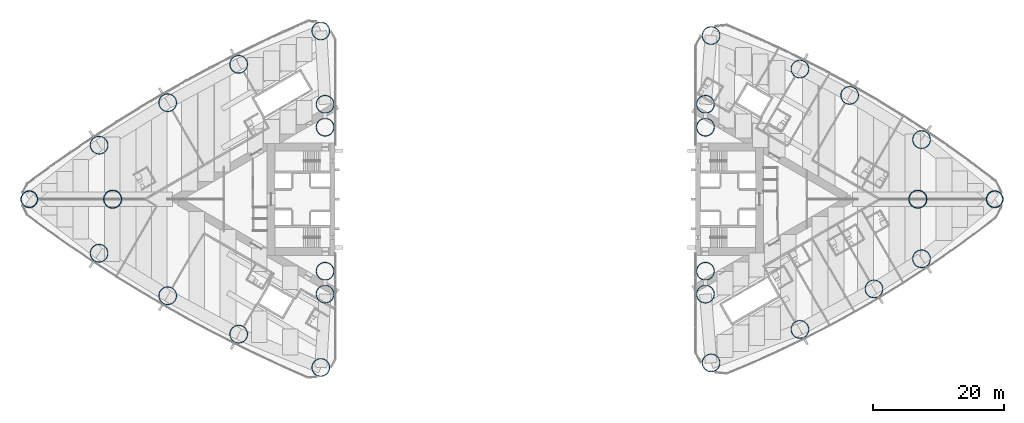
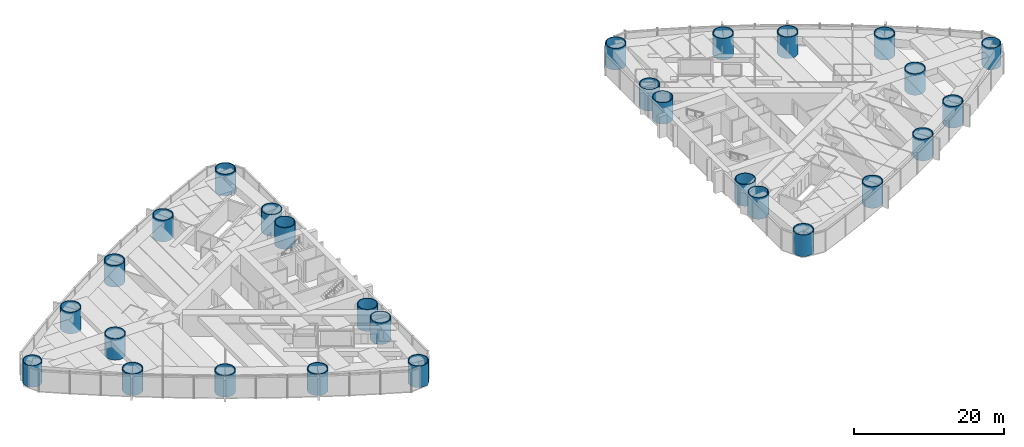
# One storey, part 1 of 18: 28 columns.
"""IFC4 building model written with IfcOpenShell, lengths in metres."""

from ifc_helpers import new_model, si_unit, direction, frame, origin, origin_2d, place, context, subcontext, project, spatial, hollow_circle, extrude, material, material_profile, profile_set, type_object, element, save


model = new_model("IFC4")

# Units and contexts
model_context = context("Model", 3, precision=1e-05, world=origin(), true_north=direction((0.0, 1.0)))
body_context = subcontext(model_context, "Body", "Model", "MODEL_VIEW")
ifc_project = project(units=[si_unit("LENGTHUNIT", "METRE"), si_unit("AREAUNIT", "SQUARE_METRE"), si_unit("VOLUMEUNIT", "CUBIC_METRE"), si_unit("PLANEANGLEUNIT", "RADIAN"), si_unit("MASSUNIT", "GRAM", prefix="KILO")], contexts=[model_context])

# Site, building, storey
site_placement = place(None, origin())
site = spatial("IfcSite", under=ifc_project, at=site_placement, CompositionType="ELEMENT")
building_placement = place(site_placement, origin())
building = spatial("IfcBuilding", under=site, at=building_placement, Name="Lancet Gate Hotel", CompositionType="ELEMENT")
storey_placement = place(building_placement, frame((0.0, 0.0, 53.0)))
storey = spatial("IfcBuildingStorey", under=building, at=storey_placement, Name="L13", CompositionType="ELEMENT", Elevation=53.0)

# Columns
ifc_material_1 = material(Name="Composite filled tube, grade 460 plate, grade 80/95 fill", Category="composite")
ifc_material_profile_1 = material_profile(ifc_material_1, hollow_circle(Radius=1.39990234375, WallThickness=0.10009765625, at=origin_2d()), Name="CHS 2800x100")
ifc_profile_set_1 = profile_set([ifc_material_profile_1], Name="Composite filled tube, grade 460 plate, grade 80/95 fill")
column_type_1 = type_object("IfcColumnType", Name="Apex column CFT CHS 2800x100", PredefinedType="COLUMN", material=ifc_profile_set_1)
for number, where, z_axis, x_axis, name in (
    (1, (-61.5, 0.0, 0.0), (0.0, 0.0, 1.0), (1.0, 0.0, 0.0), "T1 column AX L13"),
    (2, (61.5, 0.0, 0.0), (0.0, 0.0, 1.0), (1.0, 0.0, 0.0), "T2 column AX L13"),
):
    element("IfcColumn", number, at=place(storey_placement, frame(where, z_axis=z_axis, x_axis=x_axis)), inside=storey, type_object=column_type_1, Name=name, PredefinedType="COLUMN", context=body_context, shape_type="SweptSolid", body=[
        extrude(hollow_circle(Radius=1.39990234375, WallThickness=0.10009765625, at=origin_2d()), origin(), (0.0, 0.0, 1.0), 3.5),
    ])
ifc_material_2 = material(Name="Composite filled tube, grade 460 plate, grade 80/95 fill", Category="composite")
ifc_material_profile_2 = material_profile(ifc_material_2, hollow_circle(Radius=1.300048828125, WallThickness=0.10009765625, at=origin_2d()), Name="CHS 2600x100")
ifc_profile_set_2 = profile_set([ifc_material_profile_2], Name="Composite filled tube, grade 460 plate, grade 80/95 fill")
column_type_2 = type_object("IfcColumnType", Name="Apex corner column CFT CHS 2600x100", PredefinedType="COLUMN", material=ifc_profile_set_2)
for number, where, z_axis, x_axis, name in (
    (3, (-74.235107421875, 0.0, 0.0), (0.0, 0.0, 1.0), (1.0, 0.0, 0.0), "T1 column CA L13"),
    (4, (73.2392578125, 0.0, 0.0), (0.0, 0.0, 1.0), (1.0, 0.0, 0.0), "T2 column CA L13"),
):
    element("IfcColumn", number, at=place(storey_placement, frame(where, z_axis=z_axis, x_axis=x_axis)), inside=storey, type_object=column_type_2, Name=name, PredefinedType="COLUMN", context=body_context, shape_type="SweptSolid", body=[
        extrude(hollow_circle(Radius=1.300048828125, WallThickness=0.10009765625, at=origin_2d()), origin(), (0.0, 0.0, 1.0), 3.5),
    ])
ifc_material_3 = material(Name="Composite filled tube, grade 460 plate, grade 80/95 fill", Category="composite")
ifc_material_profile_3 = material_profile(ifc_material_3, hollow_circle(Radius=1.39990234375, WallThickness=0.1201171875, at=origin_2d()), Name="CHS 2800x120")
ifc_profile_set_3 = profile_set([ifc_material_profile_3], Name="Composite filled tube, grade 460 plate, grade 80/95 fill")
column_type_3 = type_object("IfcColumnType", Name="Perimeter column CFT CHS 2800x120", PredefinedType="COLUMN", material=ifc_profile_set_3)
for number, where, z_axis, x_axis, name in (
    (5, (-29.703369140625, -25.70263671875, 0.0), (0.0, 0.0, 1.0), (1.0, 0.0, 0.0), "T1 column CN L13"),
    (6, (-29.703369140625, 25.70263671875, 0.0), (0.0, 0.0, 1.0), (1.0, 0.0, 0.0), "T1 column CS L13"),
    (7, (-29.050048828125, -11.0, 0.0), (0.0, 0.0, 1.0), (1.0, 0.0, 0.0), "T1 column IN L13"),
    (8, (-29.050048828125, 11.0, 0.0), (0.0, 0.0, 1.0), (1.0, 0.0, 0.0), "T1 column IS L13"),
    (9, (-29.050048828125, 14.5, 0.0), (0.0, 0.0, 1.0), (1.0, 0.0, 0.0), "T1 column IT L13"),
    (10, (-29.050048828125, -14.5, 0.0), (0.0, 0.0, 1.0), (1.0, 0.0, 0.0), "T1 column JT L13"),
    (11, (-63.57177734375, -8.255126953125, 0.0), (0.0, 0.0, 1.0), (1.0, 0.0, 0.0), "T1 column ON1 L13"),
    (12, (-53.090087890625, -14.744873046875, 0.0), (0.0, 0.0, 1.0), (1.0, 0.0, 0.0), "T1 column ON2 L13"),
    (13, (-42.2451171875, -20.607421875, 0.0), (0.0, 0.0, 1.0), (1.0, 0.0, 0.0), "T1 column ON3 L13"),
    (14, (-42.2451171875, 20.607421875, 0.0), (0.0, 0.0, 1.0), (1.0, 0.0, 0.0), "T1 column OS1 L13"),
    (15, (-53.090087890625, 14.744873046875, 0.0), (0.0, 0.0, 1.0), (1.0, 0.0, 0.0), "T1 column OS2 L13"),
    (16, (-63.57177734375, 8.255126953125, 0.0), (0.0, 0.0, 1.0), (1.0, 0.0, 0.0), "T1 column OS3 L13"),
    (17, (29.9111328125, 25.00244140625, 0.0), (0.0, 0.0, 1.0), (1.0, 0.0, 0.0), "T2 column CN L13"),
    (18, (29.9111328125, -25.00244140625, 0.0), (0.0, 0.0, 1.0), (1.0, 0.0, 0.0), "T2 column CS L13"),
    (19, (29.050048828125, 11.0, 0.0), (0.0, 0.0, 1.0), (1.0, 0.0, 0.0), "T2 column IN L13"),
    (20, (29.050048828125, -11.0, 0.0), (0.0, 0.0, 1.0), (1.0, 0.0, 0.0), "T2 column IS L13"),
    (21, (29.050048828125, -14.5, 0.0), (0.0, 0.0, 1.0), (1.0, 0.0, 0.0), "T2 column IT L13"),
    (22, (29.050048828125, 14.5, 0.0), (0.0, 0.0, 1.0), (1.0, 0.0, 0.0), "T2 column JT L13"),
    (23, (62.059326171875, 9.10498046875, 0.0), (0.0, 0.0, 1.0), (1.0, 0.0, 0.0), "T2 column ON1 L13"),
    (24, (51.07763671875, 15.8583984375, 0.0), (0.0, 0.0, 1.0), (1.0, 0.0, 0.0), "T2 column ON2 L13"),
    (25, (43.484130859375, 19.886474609375, 0.0), (0.0, 0.0, 1.0), (1.0, 0.0, 0.0), "T2 column ON3 L13"),
    (26, (43.484130859375, -19.886474609375, 0.0), (0.0, 0.0, 1.0), (1.0, 0.0, 0.0), "T2 column OS1 L13"),
    (27, (54.795166015625, -13.70068359375, 0.0), (0.0, 0.0, 1.0), (1.0, 0.0, 0.0), "T2 column OS2 L13"),
    (28, (62.059326171875, -9.10498046875, 0.0), (0.0, 0.0, 1.0), (1.0, 0.0, 0.0), "T2 column OS3 L13"),
):
    element("IfcColumn", number, at=place(storey_placement, frame(where, z_axis=z_axis, x_axis=x_axis)), inside=storey, type_object=column_type_3, Name=name, PredefinedType="COLUMN", context=body_context, shape_type="SweptSolid", body=[
        extrude(hollow_circle(Radius=1.39990234375, WallThickness=0.1201171875, at=origin_2d()), origin(), (0.0, 0.0, 1.0), 3.5),
    ])

save(model, "model.ifc")
